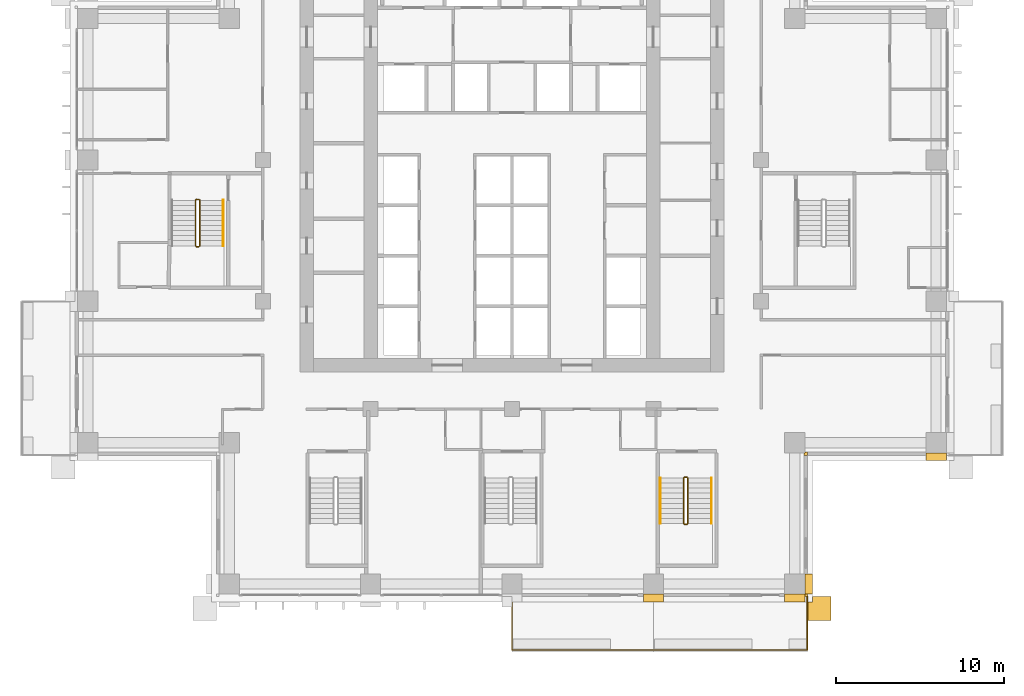
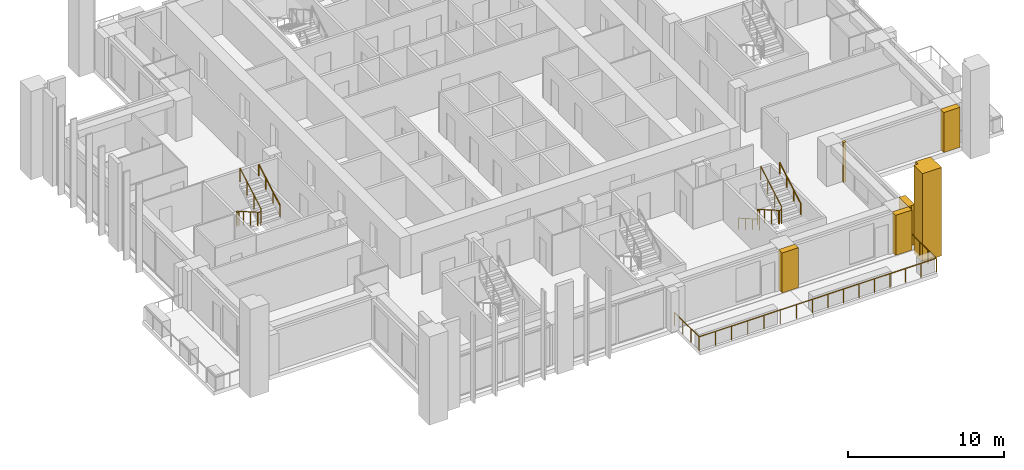
# One storey, part 16 of 19: 7 coverings, 7 railings.
"""IFC4 building model written with IfcOpenShell, lengths in metres."""

from ifc_helpers import new_model, si_unit, direction, frame, origin, origin_2d, place, context, subcontext, project, spatial, polyline, rectangle, outline, extrude, material, type_object, element, save


model = new_model("IFC4")

# Units and contexts
model_context = context("Model", 3, precision=1e-05, world=origin(), true_north=direction((0.0, 1.0)))
body_context = subcontext(model_context, "Body", "Model", "MODEL_VIEW")
ifc_project = project(units=[si_unit("LENGTHUNIT", "METRE"), si_unit("AREAUNIT", "SQUARE_METRE"), si_unit("VOLUMEUNIT", "CUBIC_METRE"), si_unit("PLANEANGLEUNIT", "RADIAN"), si_unit("MASSUNIT", "GRAM", prefix="KILO")], contexts=[model_context])

# Site, building, storey
site_placement = place(None, origin())
site = spatial("IfcSite", under=ifc_project, at=site_placement, CompositionType="ELEMENT")
building_placement = place(site_placement, origin())
building = spatial("IfcBuilding", under=site, at=building_placement, Name="Vermilion Ogive Tower", CompositionType="ELEMENT")
storey_placement = place(building_placement, frame((0.0, 0.0, 90.75)))
storey = spatial("IfcBuildingStorey", under=building, at=storey_placement, Name="L22", CompositionType="ELEMENT", Elevation=90.75)

# Railings
ifc_material_1 = material(Name="Stainless steel and glass", Category="steel")
railing_type_1 = type_object("IfcRailingType", Name="Balcony guard", PredefinedType="GUARDRAIL", material=ifc_material_1)
railing_1_placement = place(storey_placement, frame((0.0, -21.75, -0.0400390625)))
element("IfcRailing", 1, at=railing_1_placement, inside=storey, type_object=railing_type_1, Name="Guard S03", PredefinedType="GUARDRAIL", context=body_context, shape_type="SweptSolid", body=[
    extrude(rectangle(XDim=0.048095703125, YDim=0.048095703125, at=origin_2d()), frame((0.0, 0.0, 1.076171875), z_axis=(0.0, -1.0, 0.0), x_axis=(1.0, 0.0, 0.0)), (0.0, 0.0, 1.0), 3.159912109375),
    extrude(rectangle(XDim=0.048095703125, YDim=0.048095703125, at=origin_2d()), frame((0.0, -3.159912109375, 1.076171875), z_axis=(1.0, 0.0, 0.0), x_axis=(0.0, 1.0, 0.0)), (0.0, 0.0, 1.0), 8.39990234375),
    extrude(rectangle(XDim=0.0419921875, YDim=0.0419921875, at=origin_2d()), origin(), (0.0, 0.0, 1.0), 1.052001953125),
    extrude(rectangle(XDim=0.0419921875, YDim=0.0419921875, at=origin_2d()), frame((0.0, -1.05322265625, 0.0)), (0.0, 0.0, 1.0), 1.052001953125),
    extrude(rectangle(XDim=0.0419921875, YDim=0.0419921875, at=origin_2d()), frame((0.0, -2.106689453125, 0.0)), (0.0, 0.0, 1.0), 1.052001953125),
    extrude(rectangle(XDim=0.0419921875, YDim=0.0419921875, at=origin_2d()), frame((0.0, -3.159912109375, 0.0)), (0.0, 0.0, 1.0), 1.052001953125),
    extrude(rectangle(XDim=0.0419921875, YDim=0.0419921875, at=origin_2d()), frame((1.199951171875, -3.159912109375, 0.0)), (0.0, 0.0, 1.0), 1.052001953125),
    extrude(rectangle(XDim=0.0419921875, YDim=0.0419921875, at=origin_2d()), frame((2.39990234375, -3.159912109375, 0.0)), (0.0, 0.0, 1.0), 1.052001953125),
    extrude(rectangle(XDim=0.0419921875, YDim=0.0419921875, at=origin_2d()), frame((3.599853515625, -3.159912109375, 0.0)), (0.0, 0.0, 1.0), 1.052001953125),
    extrude(rectangle(XDim=0.0419921875, YDim=0.0419921875, at=origin_2d()), frame((4.800048828125, -3.159912109375, 0.0)), (0.0, 0.0, 1.0), 1.052001953125),
    extrude(rectangle(XDim=0.0419921875, YDim=0.0419921875, at=origin_2d()), frame((6.0, -3.159912109375, 0.0)), (0.0, 0.0, 1.0), 1.052001953125),
    extrude(rectangle(XDim=0.0419921875, YDim=0.0419921875, at=origin_2d()), frame((7.199951171875, -3.159912109375, 0.0)), (0.0, 0.0, 1.0), 1.052001953125),
    extrude(rectangle(XDim=0.0419921875, YDim=0.0419921875, at=origin_2d()), frame((8.39990234375, -3.159912109375, 0.0)), (0.0, 0.0, 1.0), 1.052001953125),
])
railing_2_placement = place(storey_placement, frame((8.39990234375, -24.909912109375, -0.0400390625)))
element("IfcRailing", 2, at=railing_2_placement, inside=storey, type_object=railing_type_1, Name="Guard S04", PredefinedType="GUARDRAIL", context=body_context, shape_type="SweptSolid", body=[
    extrude(rectangle(XDim=0.048095703125, YDim=0.048095703125, at=origin_2d()), frame((0.0, 0.0, 1.076171875), z_axis=(1.0, 0.0, 0.0), x_axis=(0.0, 1.0, 0.0)), (0.0, 0.0, 1.0), 9.150146484375),
    extrude(rectangle(XDim=0.048095703125, YDim=0.048095703125, at=origin_2d()), frame((9.150146484375, 0.0, 1.076171875), z_axis=(0.0, 1.0, 0.0), x_axis=(-1.0, 0.0, 0.0)), (0.0, 0.0, 1.0), 3.159912109375),
    extrude(rectangle(XDim=0.0419921875, YDim=0.0419921875, at=origin_2d()), origin(), (0.0, 0.0, 1.0), 1.052001953125),
    extrude(rectangle(XDim=0.0419921875, YDim=0.0419921875, at=origin_2d()), frame((1.143798828125, 0.0, 0.0)), (0.0, 0.0, 1.0), 1.052001953125),
    extrude(rectangle(XDim=0.0419921875, YDim=0.0419921875, at=origin_2d()), frame((2.28759765625, 0.0, 0.0)), (0.0, 0.0, 1.0), 1.052001953125),
    extrude(rectangle(XDim=0.0419921875, YDim=0.0419921875, at=origin_2d()), frame((3.431396484375, 0.0, 0.0)), (0.0, 0.0, 1.0), 1.052001953125),
    extrude(rectangle(XDim=0.0419921875, YDim=0.0419921875, at=origin_2d()), frame((4.5751953125, 0.0, 0.0)), (0.0, 0.0, 1.0), 1.052001953125),
    extrude(rectangle(XDim=0.0419921875, YDim=0.0419921875, at=origin_2d()), frame((5.71875, 0.0, 0.0)), (0.0, 0.0, 1.0), 1.052001953125),
    extrude(rectangle(XDim=0.0419921875, YDim=0.0419921875, at=origin_2d()), frame((6.862548828125, 0.0, 0.0)), (0.0, 0.0, 1.0), 1.052001953125),
    extrude(rectangle(XDim=0.0419921875, YDim=0.0419921875, at=origin_2d()), frame((8.00634765625, 0.0, 0.0)), (0.0, 0.0, 1.0), 1.052001953125),
    extrude(rectangle(XDim=0.0419921875, YDim=0.0419921875, at=origin_2d()), frame((9.150146484375, 0.0, 0.0)), (0.0, 0.0, 1.0), 1.052001953125),
    extrude(rectangle(XDim=0.0419921875, YDim=0.0419921875, at=origin_2d()), frame((9.150146484375, 1.05322265625, 0.0)), (0.0, 0.0, 1.0), 1.052001953125),
    extrude(rectangle(XDim=0.0419921875, YDim=0.0419921875, at=origin_2d()), frame((9.150146484375, 2.106689453125, 0.0)), (0.0, 0.0, 1.0), 1.052001953125),
    extrude(rectangle(XDim=0.0419921875, YDim=0.0419921875, at=origin_2d()), frame((9.150146484375, 3.159912109375, 0.0)), (0.0, 0.0, 1.0), 1.052001953125),
])
ifc_material_2 = material(Name="Steel S355 painted", Category="steel")
railing_type_2 = type_object("IfcRailingType", Name="Stair guard 1100", PredefinedType="GUARDRAIL", material=ifc_material_2)
railing_3_placement = place(storey_placement, frame((10.39990234375, -14.64990234375, 0.0)))
element("IfcRailing", 3, at=railing_3_placement, inside=storey, type_object=railing_type_2, Name="L22 ST5 stair guard 4", PredefinedType="GUARDRAIL", context=body_context, shape_type="SweptSolid", body=[
    extrude(rectangle(XDim=0.048095703125, YDim=0.048095703125, at=origin_2d()), frame((0.0, 0.0, 1.076171875), z_axis=(-1.0, 0.0, 0.0), x_axis=(0.0, -1.0, 0.0)), (0.0, 0.0, 1.0), 0.14990234375),
    extrude(rectangle(XDim=0.048095703125, YDim=0.048095703125, at=origin_2d()), frame((-0.14990234375, 0.0, 1.076171875), z_axis=(-0.268277960024, -0.268277960024, 0.925231793839), x_axis=(0.707106781187, -0.707106781187, 0.0)), (0.0, 0.0, 1.0), 0.1865234375),
    extrude(rectangle(XDim=0.048095703125, YDim=0.048095703125, at=origin_2d()), frame((-0.199951171875, -0.050048828125, 1.24853515625), z_axis=(0.0, -0.866903762492, 0.498475542607), x_axis=(1.0, 0.0, 0.0)), (0.0, 0.0, 1.0), 3.114501953125),
    extrude(rectangle(XDim=0.048095703125, YDim=0.048095703125, at=origin_2d()), frame((-0.199951171875, -2.75, 2.80126953125), z_axis=(0.707106781187, -0.707106781187, 0.0), x_axis=(0.707106781187, 0.707106781187, 0.0)), (0.0, 0.0, 1.0), 0.07080078125),
    extrude(rectangle(XDim=0.048095703125, YDim=0.048095703125, at=origin_2d()), frame((-0.14990234375, -2.800048828125, 2.80126953125), z_axis=(1.0, 0.0, 0.0), x_axis=(0.0, 1.0, 0.0)), (0.0, 0.0, 1.0), 0.14990234375),
    extrude(rectangle(XDim=0.048095703125, YDim=0.048095703125, at=origin_2d()), frame((0.0, -2.800048828125, 2.80126953125), z_axis=(0.268603158521, 0.268603158521, 0.925043072762), x_axis=(-0.707106781187, 0.707106781187, 0.0)), (0.0, 0.0, 1.0), 0.186279296875),
    extrude(rectangle(XDim=0.048095703125, YDim=0.048095703125, at=origin_2d()), frame((0.050048828125, -2.75, 2.9736328125), z_axis=(0.0, 0.866903762492, 0.498475542607), x_axis=(-1.0, 0.0, 0.0)), (0.0, 0.0, 1.0), 3.114501953125),
    extrude(rectangle(XDim=0.0419921875, YDim=0.0419921875, at=origin_2d()), origin(), (0.0, 0.0, 1.0), 1.052001953125),
    extrude(rectangle(XDim=0.0419921875, YDim=0.0419921875, at=origin_2d()), frame((-0.14990234375, 0.0, 0.0)), (0.0, 0.0, 1.0), 1.052001953125),
    extrude(rectangle(XDim=0.0419921875, YDim=0.0419921875, at=origin_2d()), frame((-0.199951171875, -0.050048828125, 0.172607421875)), (0.0, 0.0, 1.0), 1.052001953125),
    extrude(rectangle(XDim=0.0419921875, YDim=0.0419921875, at=origin_2d()), frame((-0.199951171875, -0.949951171875, 0.690185546875)), (0.0, 0.0, 1.0), 1.052001953125),
    extrude(rectangle(XDim=0.0419921875, YDim=0.0419921875, at=origin_2d()), frame((-0.199951171875, -1.85009765625, 1.20751953125)), (0.0, 0.0, 1.0), 1.052001953125),
    extrude(rectangle(XDim=0.0419921875, YDim=0.0419921875, at=origin_2d()), frame((-0.199951171875, -2.75, 1.72509765625)), (0.0, 0.0, 1.0), 1.052001953125),
    extrude(rectangle(XDim=0.0419921875, YDim=0.0419921875, at=origin_2d()), frame((-0.14990234375, -2.800048828125, 1.72509765625)), (0.0, 0.0, 1.0), 1.052001953125),
    extrude(rectangle(XDim=0.0419921875, YDim=0.0419921875, at=origin_2d()), frame((0.0, -2.800048828125, 1.72509765625)), (0.0, 0.0, 1.0), 1.052001953125),
    extrude(rectangle(XDim=0.0419921875, YDim=0.0419921875, at=origin_2d()), frame((0.050048828125, -2.75, 1.8974609375)), (0.0, 0.0, 1.0), 1.052001953125),
    extrude(rectangle(XDim=0.0419921875, YDim=0.0419921875, at=origin_2d()), frame((0.050048828125, -1.85009765625, 2.4150390625)), (0.0, 0.0, 1.0), 1.052001953125),
    extrude(rectangle(XDim=0.0419921875, YDim=0.0419921875, at=origin_2d()), frame((0.050048828125, -0.949951171875, 2.932373046875)), (0.0, 0.0, 1.0), 1.052001953125),
    extrude(rectangle(XDim=0.0419921875, YDim=0.0419921875, at=origin_2d()), frame((0.050048828125, -0.050048828125, 3.449951171875)), (0.0, 0.0, 1.0), 1.052001953125),
])
railing_4_placement = place(storey_placement, frame((-18.60009765625, 1.85009765625, 0.0)))
element("IfcRailing", 4, at=railing_4_placement, inside=storey, type_object=railing_type_2, Name="L22 ST9 stair guard 4", PredefinedType="GUARDRAIL", context=body_context, shape_type="SweptSolid", body=[
    extrude(rectangle(XDim=0.048095703125, YDim=0.048095703125, at=origin_2d()), frame((0.0, 0.0, 1.076171875), z_axis=(-1.0, 0.0, 0.0), x_axis=(0.0, -1.0, 0.0)), (0.0, 0.0, 1.0), 0.14990234375),
    extrude(rectangle(XDim=0.048095703125, YDim=0.048095703125, at=origin_2d()), frame((-0.14990234375, 0.0, 1.076171875), z_axis=(-0.268277960024, -0.268277960024, 0.925231793839), x_axis=(0.707106781187, -0.707106781187, 0.0)), (0.0, 0.0, 1.0), 0.1865234375),
    extrude(rectangle(XDim=0.048095703125, YDim=0.048095703125, at=origin_2d()), frame((-0.199951171875, -0.050048828125, 1.24853515625), z_axis=(0.0, -0.866903762492, 0.498475542607), x_axis=(1.0, 0.0, 0.0)), (0.0, 0.0, 1.0), 3.114501953125),
    extrude(rectangle(XDim=0.048095703125, YDim=0.048095703125, at=origin_2d()), frame((-0.199951171875, -2.75, 2.80126953125), z_axis=(0.707106781187, -0.707106781187, 0.0), x_axis=(0.707106781187, 0.707106781187, 0.0)), (0.0, 0.0, 1.0), 0.07080078125),
    extrude(rectangle(XDim=0.048095703125, YDim=0.048095703125, at=origin_2d()), frame((-0.14990234375, -2.800048828125, 2.80126953125), z_axis=(1.0, 0.0, 0.0), x_axis=(0.0, 1.0, 0.0)), (0.0, 0.0, 1.0), 0.14990234375),
    extrude(rectangle(XDim=0.048095703125, YDim=0.048095703125, at=origin_2d()), frame((0.0, -2.800048828125, 2.80126953125), z_axis=(0.268603158521, 0.268603158521, 0.925043072762), x_axis=(-0.707106781187, 0.707106781187, 0.0)), (0.0, 0.0, 1.0), 0.186279296875),
    extrude(rectangle(XDim=0.048095703125, YDim=0.048095703125, at=origin_2d()), frame((0.050048828125, -2.75, 2.9736328125), z_axis=(0.0, 0.866903762492, 0.498475542607), x_axis=(-1.0, 0.0, 0.0)), (0.0, 0.0, 1.0), 3.114501953125),
    extrude(rectangle(XDim=0.0419921875, YDim=0.0419921875, at=origin_2d()), origin(), (0.0, 0.0, 1.0), 1.052001953125),
    extrude(rectangle(XDim=0.0419921875, YDim=0.0419921875, at=origin_2d()), frame((-0.14990234375, 0.0, 0.0)), (0.0, 0.0, 1.0), 1.052001953125),
    extrude(rectangle(XDim=0.0419921875, YDim=0.0419921875, at=origin_2d()), frame((-0.199951171875, -0.050048828125, 0.172607421875)), (0.0, 0.0, 1.0), 1.052001953125),
    extrude(rectangle(XDim=0.0419921875, YDim=0.0419921875, at=origin_2d()), frame((-0.199951171875, -0.949951171875, 0.690185546875)), (0.0, 0.0, 1.0), 1.052001953125),
    extrude(rectangle(XDim=0.0419921875, YDim=0.0419921875, at=origin_2d()), frame((-0.199951171875, -1.85009765625, 1.20751953125)), (0.0, 0.0, 1.0), 1.052001953125),
    extrude(rectangle(XDim=0.0419921875, YDim=0.0419921875, at=origin_2d()), frame((-0.199951171875, -2.75, 1.72509765625)), (0.0, 0.0, 1.0), 1.052001953125),
    extrude(rectangle(XDim=0.0419921875, YDim=0.0419921875, at=origin_2d()), frame((-0.14990234375, -2.800048828125, 1.72509765625)), (0.0, 0.0, 1.0), 1.052001953125),
    extrude(rectangle(XDim=0.0419921875, YDim=0.0419921875, at=origin_2d()), frame((0.0, -2.800048828125, 1.72509765625)), (0.0, 0.0, 1.0), 1.052001953125),
    extrude(rectangle(XDim=0.0419921875, YDim=0.0419921875, at=origin_2d()), frame((0.050048828125, -2.75, 1.8974609375)), (0.0, 0.0, 1.0), 1.052001953125),
    extrude(rectangle(XDim=0.0419921875, YDim=0.0419921875, at=origin_2d()), frame((0.050048828125, -1.85009765625, 2.4150390625)), (0.0, 0.0, 1.0), 1.052001953125),
    extrude(rectangle(XDim=0.0419921875, YDim=0.0419921875, at=origin_2d()), frame((0.050048828125, -0.949951171875, 2.932373046875)), (0.0, 0.0, 1.0), 1.052001953125),
    extrude(rectangle(XDim=0.0419921875, YDim=0.0419921875, at=origin_2d()), frame((0.050048828125, -0.050048828125, 3.449951171875)), (0.0, 0.0, 1.0), 1.052001953125),
])
ifc_material_3 = material(Name="Stainless steel", Category="steel")
railing_type_3 = type_object("IfcRailingType", Name="Stair handrail 900", PredefinedType="HANDRAIL", material=ifc_material_3)
railing_5_placement = place(storey_placement, frame((8.800048828125, -14.699951171875, 0.172607421875)))
element("IfcRailing", 5, at=railing_5_placement, inside=storey, type_object=railing_type_3, Name="L22 ST5 stair handrail 1", PredefinedType="HANDRAIL", context=body_context, shape_type="SweptSolid", body=[
    extrude(rectangle(XDim=0.048095703125, YDim=0.048095703125, at=origin_2d()), frame((0.0, 0.0, 0.8759765625), z_axis=(0.0, -0.866903762492, 0.498475542607), x_axis=(1.0, 0.0, 0.0)), (0.0, 0.0, 1.0), 3.114501953125),
    extrude(rectangle(XDim=0.0419921875, YDim=0.0419921875, at=origin_2d()), origin(), (0.0, 0.0, 1.0), 0.851806640625),
    extrude(rectangle(XDim=0.0419921875, YDim=0.0419921875, at=origin_2d()), frame((0.0, -0.89990234375, 0.517578125)), (0.0, 0.0, 1.0), 0.851806640625),
    extrude(rectangle(XDim=0.0419921875, YDim=0.0419921875, at=origin_2d()), frame((0.0, -1.800048828125, 1.034912109375)), (0.0, 0.0, 1.0), 0.851806640625),
    extrude(rectangle(XDim=0.0419921875, YDim=0.0419921875, at=origin_2d()), frame((0.0, -2.699951171875, 1.552490234375)), (0.0, 0.0, 1.0), 0.851806640625),
])
for number, where, name in (
    (6, (11.85009765625, -17.39990234375, 1.8974609375), "L22 ST5 stair handrail 2"),
    (7, (-17.14990234375, -0.89990234375, 1.8974609375), "L22 ST9 stair handrail 2"),
):
    element("IfcRailing", number, at=place(storey_placement, frame(where)), inside=storey, type_object=railing_type_3, Name=name, PredefinedType="HANDRAIL", context=body_context, shape_type="SweptSolid", body=[
        extrude(rectangle(XDim=0.048095703125, YDim=0.048095703125, at=origin_2d()), frame((0.0, 0.0, 0.8759765625), z_axis=(0.0, 0.866903762492, 0.498475542607), x_axis=(-1.0, 0.0, 0.0)), (0.0, 0.0, 1.0), 3.114501953125),
        extrude(rectangle(XDim=0.0419921875, YDim=0.0419921875, at=origin_2d()), origin(), (0.0, 0.0, 1.0), 0.851806640625),
        extrude(rectangle(XDim=0.0419921875, YDim=0.0419921875, at=origin_2d()), frame((0.0, 0.89990234375, 0.517578125)), (0.0, 0.0, 1.0), 0.851806640625),
        extrude(rectangle(XDim=0.0419921875, YDim=0.0419921875, at=origin_2d()), frame((0.0, 1.800048828125, 1.034912109375)), (0.0, 0.0, 1.0), 0.851806640625),
        extrude(rectangle(XDim=0.0419921875, YDim=0.0419921875, at=origin_2d()), frame((0.0, 2.699951171875, 1.552490234375)), (0.0, 0.0, 1.0), 0.851806640625),
    ])

# Coverings
ifc_material_4 = material(Name="Stone cladding", Category="masonry")
covering_type_1 = type_object("IfcCoveringType", Name="Stone corner buttress", PredefinedType="CLADDING", material=ifc_material_4)
covering_1_placement = place(storey_placement, frame((0.0, 0.0, -0.320068359375)))
element("IfcCovering", 8, at=covering_1_placement, inside=storey, type_object=covering_type_1, Name="Stone corner buttress X11", PredefinedType="CLADDING", context=body_context, shape_type="SweptSolid", body=[
    extrude(outline(polyline([(17.550048828125, -23.14990234375), (17.550048828125, -22.050048828125), (17.85009765625, -22.050048828125), (17.85009765625, -21.75), (18.949951171875, -21.75), (18.949951171875, -23.14990234375), (17.550048828125, -23.14990234375)])), origin(), (0.0, 0.0, 1.0), 6.900146484375),
])
ifc_material_5 = material(Name="Stone cladding", Category="masonry")
covering_type_2 = type_object("IfcCoveringType", Name="Stone pier", PredefinedType="CLADDING", material=ifc_material_5)
covering_2_placement = place(storey_placement, origin())
element("IfcCovering", 9, at=covering_2_placement, inside=storey, type_object=covering_type_2, Name="Stone corner pier SE1", PredefinedType="CLADDING", context=body_context, shape_type="SweptSolid", body=[
    extrude(outline(polyline([(17.39990234375, -21.75), (17.39990234375, -21.60009765625), (17.39990234375, -21.60009765625), (17.550048828125, -21.60009765625), (17.550048828125, -21.75), (17.39990234375, -21.75)])), origin(), (0.0, 0.0, 1.0), 3.1298828125),
])
covering_3_placement = place(storey_placement, origin())
element("IfcCovering", 10, at=covering_3_placement, inside=storey, type_object=covering_type_2, Name="Stone corner pier X1E1", PredefinedType="CLADDING", context=body_context, shape_type="SweptSolid", body=[
    extrude(outline(polyline([(17.35009765625, -13.199951171875), (17.39990234375, -13.199951171875), (17.39990234375, -13.14990234375), (17.550048828125, -13.14990234375), (17.550048828125, -13.35009765625), (17.35009765625, -13.35009765625), (17.35009765625, -13.199951171875)])), origin(), (0.0, 0.0, 1.0), 3.1298828125),
])
covering_4_placement = place(storey_placement, origin())
element("IfcCovering", 11, at=covering_4_placement, inside=storey, type_object=covering_type_2, Name="Stone pier P+0084-210", PredefinedType="CLADDING", context=body_context, shape_type="SweptSolid", body=[
    extrude(outline(polyline([(9.0, -21.60009765625), (9.0, -22.050048828125), (7.800048828125, -22.050048828125), (7.800048828125, -21.60009765625), (9.0, -21.60009765625), (9.0, -21.60009765625)])), origin(), (0.0, 0.0, 1.0), 3.1298828125),
])
covering_5_placement = place(storey_placement, origin())
element("IfcCovering", 12, at=covering_5_placement, inside=storey, type_object=covering_type_2, Name="Stone pier P+0168-210S", PredefinedType="CLADDING", context=body_context, shape_type="SweptSolid", body=[
    extrude(outline(polyline([(17.39990234375, -22.050048828125), (16.199951171875, -22.050048828125), (16.199951171875, -21.60009765625), (17.39990234375, -21.60009765625), (17.39990234375, -22.050048828125)])), origin(), (0.0, 0.0, 1.0), 3.1298828125),
])
covering_6_placement = place(storey_placement, origin())
element("IfcCovering", 13, at=covering_6_placement, inside=storey, type_object=covering_type_2, Name="Stone pier P+0168-210X1", PredefinedType="CLADDING", context=body_context, shape_type="SweptSolid", body=[
    extrude(outline(polyline([(17.85009765625, -21.60009765625), (17.39990234375, -21.60009765625), (17.39990234375, -20.39990234375), (17.85009765625, -20.39990234375), (17.85009765625, -21.60009765625)])), origin(), (0.0, 0.0, 1.0), 3.1298828125),
])
covering_7_placement = place(storey_placement, origin())
element("IfcCovering", 14, at=covering_7_placement, inside=storey, type_object=covering_type_2, Name="Stone pier P+0252-126X2", PredefinedType="CLADDING", context=body_context, shape_type="SweptSolid", body=[
    extrude(outline(polyline([(25.800048828125, -13.199951171875), (25.800048828125, -13.64990234375), (24.60009765625, -13.64990234375), (24.60009765625, -13.199951171875), (24.60009765625, -13.199951171875), (25.800048828125, -13.199951171875)])), origin(), (0.0, 0.0, 1.0), 3.1298828125),
])

save(model, "model.ifc")
